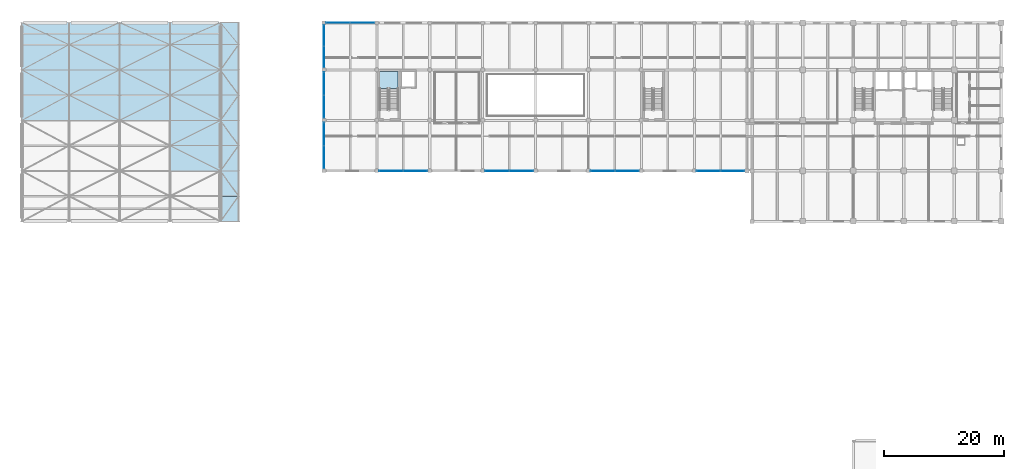
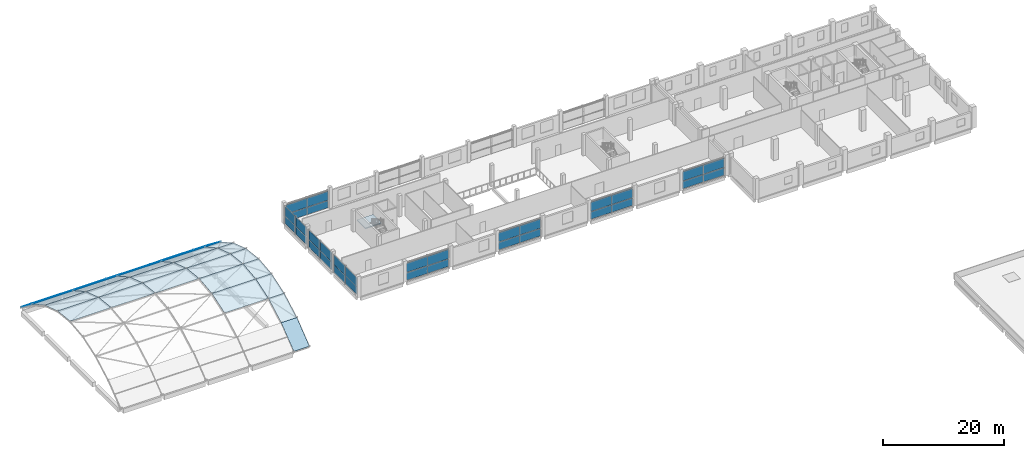
# One storey, part 22 of 38: 58 plates, 1 slab, 10 elements without a shape of their own.
"""IFC4 building model written with IfcOpenShell, lengths in metres."""

from ifc_helpers import new_model, si_unit, direction, frame, origin, origin_2d, place, context, subcontext, project, spatial, polyline, rectangle, outline, extrude, material, layer, layer_set, type_object, element, aggregate, save


model = new_model("IFC4")

# Units and contexts
model_context = context("Model", 3, precision=1e-05, world=origin(), true_north=direction((0.0, 1.0)))
body_context = subcontext(model_context, "Body", "Model", "MODEL_VIEW")
ifc_project = project(units=[si_unit("LENGTHUNIT", "METRE"), si_unit("AREAUNIT", "SQUARE_METRE"), si_unit("VOLUMEUNIT", "CUBIC_METRE"), si_unit("PLANEANGLEUNIT", "RADIAN"), si_unit("MASSUNIT", "GRAM", prefix="KILO")], contexts=[model_context])

# Site, building, storey
site_placement = place(None, origin())
site = spatial("IfcSite", under=ifc_project, at=site_placement, CompositionType="ELEMENT")
building_placement = place(site_placement, origin())
building = spatial("IfcBuilding", under=site, at=building_placement, Name="Brinegate Botanical Conservatory", CompositionType="ELEMENT")
storey_placement = place(building_placement, frame((0.0, 0.0, 10.199951171875)))
storey = spatial("IfcBuildingStorey", under=building, at=storey_placement, Name="L03", CompositionType="ELEMENT", Elevation=10.199951171875)

# Roof, plates
ifc_material_1 = material(Name="Structural steel Q355B / S355", Category="steel")
roof_type = type_object("IfcRoofType", Name="Roof_BARREL", PredefinedType="BARREL_ROOF", material=ifc_material_1)
roof_placement = place(storey_placement, origin())
roof = element("IfcRoof", 1, at=roof_placement, inside=storey, type_object=roof_type, Name="Conservatory tubular steel barrel-vault gridshell roof", PredefinedType="BARREL_ROOF")
ifc_material_2 = material(Name="Anodised aluminium insulated storm-eave soffit panel", Category="aluminium")
ifc_layer_1 = layer(ifc_material_2, 0.02587890625, Name="Anodised aluminium insulated storm-eave soffit panel", Category="aluminium")
ifc_layer_set_1 = layer_set([ifc_layer_1], Name="Anodised aluminium insulated storm-eave soffit panel")
plate_type_1 = type_object("IfcPlateType", Name="Plate_EAVE26", PredefinedType="SHEET", material=ifc_layer_set_1)
plate_1_placement = place(storey_placement, frame((33.60009765625, 78.39990234375, 0.0), z_axis=(0.0, -0.615626264049, 0.788038262404), x_axis=(1.0, 0.0, 0.0)))
plate_1 = element("IfcPlate", 2, at=plate_1_placement, type_object=plate_type_1, Name="Conservatory storm-eave panel 5.1", PredefinedType="SHEET", context=body_context, shape_type="SweptSolid", body=[
    extrude(outline(polyline([(0.0, 0.0), (3.0, 0.0), (3.0, 5.3299382947316545), (0.0, 5.3299382947316545), (0.0, 0.0)])), origin(), (0.0, 0.0, 1.0), 0.02587890625),
])
plate_2_placement = place(storey_placement, frame((33.60009765625, 82.60009765625, 3.28125), z_axis=(0.0, -0.487301351866, 0.873233870432), x_axis=(1.0, 0.0, 0.0)))
plate_2 = element("IfcPlate", 3, at=plate_2_placement, type_object=plate_type_1, Name="Conservatory storm-eave panel 5.2", PredefinedType="SHEET", context=body_context, shape_type="SweptSolid", body=[
    extrude(outline(polyline([(0.0, 0.0), (3.0, 0.0), (3.0, 4.80965216087756), (0.0, 4.80965216087756), (0.0, 0.0)])), origin(), (0.0, 0.0, 1.0), 0.02587890625),
])
plate_3_placement = place(storey_placement, frame((33.60009765625, 86.800048828125, 5.625), z_axis=(0.0, -0.317500791646, 0.948258006718), x_axis=(1.0, 0.0, 0.0)))
plate_3 = element("IfcPlate", 4, at=plate_3_placement, type_object=plate_type_1, Name="Conservatory storm-eave panel 5.3", PredefinedType="SHEET", context=body_context, shape_type="SweptSolid", body=[
    extrude(outline(polyline([(0.0, 0.0), (3.0, 0.0), (3.0, 4.429122814805905), (0.0, 4.429122814805905), (0.0, 0.0)])), origin(), (0.0, 0.0, 1.0), 0.02587890625),
])
plate_4_placement = place(storey_placement, frame((33.60009765625, 91.0, 7.03125), z_axis=(0.0, -0.110919745625, 0.993829366657), x_axis=(1.0, 0.0, 0.0)))
plate_4 = element("IfcPlate", 5, at=plate_4_placement, type_object=plate_type_1, Name="Conservatory storm-eave panel 5.4", PredefinedType="SHEET", context=body_context, shape_type="SweptSolid", body=[
    extrude(outline(polyline([(0.0, 0.0), (3.0, 0.0), (3.0, 4.22602844389791), (0.0, 4.22602844389791), (0.0, 0.0)])), origin(), (0.0, 0.0, 1.0), 0.02587890625),
])
plate_5_placement = place(storey_placement, frame((33.60009765625, 95.199951171875, 7.5), z_axis=(0.0, 0.110919745625, 0.993829366657), x_axis=(1.0, 0.0, 0.0)))
plate_5 = element("IfcPlate", 6, at=plate_5_placement, type_object=plate_type_1, Name="Conservatory storm-eave panel 5.5", PredefinedType="SHEET", context=body_context, shape_type="SweptSolid", body=[
    extrude(outline(polyline([(0.0, 0.0), (3.0, 0.0), (3.0, 4.22602844389791), (0.0, 4.22602844389791), (0.0, 0.0)])), origin(), (0.0, 0.0, 1.0), 0.02587890625),
])
plate_6_placement = place(storey_placement, frame((33.60009765625, 99.39990234375, 7.03125), z_axis=(0.0, 0.317484196838, 0.948263562918), x_axis=(1.0, 0.0, 0.0)))
plate_6 = element("IfcPlate", 7, at=plate_6_placement, type_object=plate_type_1, Name="Conservatory storm-eave panel 5.6", PredefinedType="SHEET", context=body_context, shape_type="SweptSolid", body=[
    extrude(outline(polyline([(0.0, 0.0), (3.0, 0.0), (3.0, 4.429354323786591), (0.0, 4.429354323786591), (0.0, 0.0)])), origin(), (0.0, 0.0, 1.0), 0.02587890625),
])
plate_7_placement = place(storey_placement, frame((33.60009765625, 103.60009765625, 5.625), z_axis=(0.0, 0.487301351866, 0.873233870432), x_axis=(1.0, 0.0, 0.0)))
plate_7 = element("IfcPlate", 8, at=plate_7_placement, type_object=plate_type_1, Name="Conservatory storm-eave panel 5.7", PredefinedType="SHEET", context=body_context, shape_type="SweptSolid", body=[
    extrude(outline(polyline([(0.0, 0.0), (3.0, 0.0), (3.0, 4.80965216087756), (0.0, 4.80965216087756), (0.0, 0.0)])), origin(), (0.0, 0.0, 1.0), 0.02587890625),
])
plate_8_placement = place(storey_placement, frame((33.60009765625, 107.800048828125, 3.28125), z_axis=(0.0, 0.608409254328, 0.793623449281), x_axis=(1.0, 0.0, 0.0)))
plate_8 = element("IfcPlate", 9, at=plate_8_placement, type_object=plate_type_1, Name="Conservatory storm-eave panel 5.8", PredefinedType="SHEET", context=body_context, shape_type="SweptSolid", body=[
    extrude(outline(polyline([(0.0, 0.0), (3.0, 0.0), (3.0, 4.599035407860907), (0.0, 4.599035407860907), (0.0, 0.0)])), origin(), (0.0, 0.0, 1.0), 0.02587890625),
])
ifc_material_3 = material(Name="Laminated Low-E safety glass 24 mm", Category="glass")
ifc_layer_2 = layer(ifc_material_3, 0.02392578125, Name="Laminated Low-E safety glass 24 mm", Category="glass")
ifc_layer_set_2 = layer_set([ifc_layer_2], Name="Laminated Low-E safety glass 24 mm")
plate_type_2 = type_object("IfcPlateType", Name="Plate_GLZ24", PredefinedType="SHEET", material=ifc_layer_set_2)
plate_9_placement = place(storey_placement, frame((0.550048828125, 95.199951171875, 7.5), z_axis=(0.0, 0.110919745625, 0.993829366657), x_axis=(1.0, 0.0, 0.0)))
plate_9 = element("IfcPlate", 10, at=plate_9_placement, type_object=plate_type_2, Name="Conservatory roof glazing panel 1.5", PredefinedType="SHEET", context=body_context, shape_type="SweptSolid", body=[
    extrude(outline(polyline([(0.0, 0.0), (7.849853515625, 0.0), (7.849853515625, 4.22602844389791), (0.0, 4.22602844389791), (0.0, 0.0)])), origin(), (0.0, 0.0, 1.0), 0.02392578125),
])
plate_10_placement = place(storey_placement, frame((0.550048828125, 99.39990234375, 7.03125), z_axis=(0.0, 0.317484196838, 0.948263562918), x_axis=(1.0, 0.0, 0.0)))
plate_10 = element("IfcPlate", 11, at=plate_10_placement, type_object=plate_type_2, Name="Conservatory roof glazing panel 1.6", PredefinedType="SHEET", context=body_context, shape_type="SweptSolid", body=[
    extrude(outline(polyline([(0.0, 0.0), (7.849853515625, 0.0), (7.849853515625, 4.429354323786591), (0.0, 4.429354323786591), (0.0, 0.0)])), origin(), (0.0, 0.0, 1.0), 0.02392578125),
])
plate_11_placement = place(storey_placement, frame((0.550048828125, 103.60009765625, 5.625), z_axis=(0.0, 0.487301351866, 0.873233870432), x_axis=(1.0, 0.0, 0.0)))
plate_11 = element("IfcPlate", 12, at=plate_11_placement, type_object=plate_type_2, Name="Conservatory roof glazing panel 1.7", PredefinedType="SHEET", context=body_context, shape_type="SweptSolid", body=[
    extrude(outline(polyline([(0.0, 0.0), (7.849853515625, 0.0), (7.849853515625, 4.809652160877561), (0.0, 4.809652160877561), (0.0, 0.0)])), origin(), (0.0, 0.0, 1.0), 0.02392578125),
])
plate_12_placement = place(storey_placement, frame((0.550048828125, 107.800048828125, 3.28125), z_axis=(0.0, 0.608409254328, 0.793623449281), x_axis=(1.0, 0.0, 0.0)))
plate_12 = element("IfcPlate", 13, at=plate_12_placement, type_object=plate_type_2, Name="Conservatory roof glazing panel 1.8", PredefinedType="SHEET", context=body_context, shape_type="SweptSolid", body=[
    extrude(outline(polyline([(0.0, 0.0), (7.849853515625, 0.0), (7.849853515625, 4.599035407860907), (0.0, 4.599035407860907), (0.0, 0.0)])), origin(), (0.0, 0.0, 1.0), 0.02392578125),
])
plate_13_placement = place(storey_placement, frame((8.39990234375, 95.199951171875, 7.5), z_axis=(0.0, 0.110919745625, 0.993829366657), x_axis=(1.0, 0.0, 0.0)))
plate_13 = element("IfcPlate", 14, at=plate_13_placement, type_object=plate_type_2, Name="Conservatory roof glazing panel 2.5", PredefinedType="SHEET", context=body_context, shape_type="SweptSolid", body=[
    extrude(outline(polyline([(0.0, 0.0), (8.400146484375, 0.0), (8.400146484375, 4.22602844389791), (0.0, 4.22602844389791), (0.0, 0.0)])), origin(), (0.0, 0.0, 1.0), 0.02392578125),
])
plate_14_placement = place(storey_placement, frame((8.39990234375, 99.39990234375, 7.03125), z_axis=(0.0, 0.317484196838, 0.948263562918), x_axis=(1.0, 0.0, 0.0)))
plate_14 = element("IfcPlate", 15, at=plate_14_placement, type_object=plate_type_2, Name="Conservatory roof glazing panel 2.6", PredefinedType="SHEET", context=body_context, shape_type="SweptSolid", body=[
    extrude(outline(polyline([(0.0, 0.0), (8.400146484375, 0.0), (8.400146484375, 4.429354323786591), (0.0, 4.429354323786591), (0.0, 0.0)])), origin(), (0.0, 0.0, 1.0), 0.02392578125),
])
plate_15_placement = place(storey_placement, frame((8.39990234375, 103.60009765625, 5.625), z_axis=(0.0, 0.487301351866, 0.873233870432), x_axis=(1.0, 0.0, 0.0)))
plate_15 = element("IfcPlate", 16, at=plate_15_placement, type_object=plate_type_2, Name="Conservatory roof glazing panel 2.7", PredefinedType="SHEET", context=body_context, shape_type="SweptSolid", body=[
    extrude(outline(polyline([(0.0, 0.0), (8.400146484375, 0.0), (8.400146484375, 4.80965216087756), (0.0, 4.80965216087756), (0.0, 0.0)])), origin(), (0.0, 0.0, 1.0), 0.02392578125),
])
plate_16_placement = place(storey_placement, frame((8.39990234375, 107.800048828125, 3.28125), z_axis=(0.0, 0.608409254328, 0.793623449281), x_axis=(1.0, 0.0, 0.0)))
plate_16 = element("IfcPlate", 17, at=plate_16_placement, type_object=plate_type_2, Name="Conservatory roof glazing panel 2.8", PredefinedType="SHEET", context=body_context, shape_type="SweptSolid", body=[
    extrude(outline(polyline([(0.0, 0.0), (8.400146484375, 0.0), (8.400146484375, 4.599035407860907), (0.0, 4.599035407860907), (0.0, 0.0)])), origin(), (0.0, 0.0, 1.0), 0.02392578125),
])
plate_17_placement = place(storey_placement, frame((16.800048828125, 95.199951171875, 7.5), z_axis=(0.0, 0.110919745625, 0.993829366657), x_axis=(1.0, 0.0, 0.0)))
plate_17 = element("IfcPlate", 18, at=plate_17_placement, type_object=plate_type_2, Name="Conservatory roof glazing panel 3.5", PredefinedType="SHEET", context=body_context, shape_type="SweptSolid", body=[
    extrude(outline(polyline([(0.0, 0.0), (8.39990234375, 0.0), (8.39990234375, 4.22602844389791), (0.0, 4.22602844389791), (0.0, 0.0)])), origin(), (0.0, 0.0, 1.0), 0.02392578125),
])
plate_18_placement = place(storey_placement, frame((16.800048828125, 99.39990234375, 7.03125), z_axis=(0.0, 0.317484196838, 0.948263562918), x_axis=(1.0, 0.0, 0.0)))
plate_18 = element("IfcPlate", 19, at=plate_18_placement, type_object=plate_type_2, Name="Conservatory roof glazing panel 3.6", PredefinedType="SHEET", context=body_context, shape_type="SweptSolid", body=[
    extrude(outline(polyline([(0.0, 0.0), (8.39990234375, 0.0), (8.39990234375, 4.429354323786591), (0.0, 4.429354323786591), (0.0, 0.0)])), origin(), (0.0, 0.0, 1.0), 0.02392578125),
])
plate_19_placement = place(storey_placement, frame((16.800048828125, 103.60009765625, 5.625), z_axis=(0.0, 0.487301351866, 0.873233870432), x_axis=(1.0, 0.0, 0.0)))
plate_19 = element("IfcPlate", 20, at=plate_19_placement, type_object=plate_type_2, Name="Conservatory roof glazing panel 3.7", PredefinedType="SHEET", context=body_context, shape_type="SweptSolid", body=[
    extrude(outline(polyline([(0.0, 0.0), (8.39990234375, 0.0), (8.39990234375, 4.809652160877561), (0.0, 4.809652160877561), (0.0, 0.0)])), origin(), (0.0, 0.0, 1.0), 0.02392578125),
])
plate_20_placement = place(storey_placement, frame((16.800048828125, 107.800048828125, 3.28125), z_axis=(0.0, 0.608409254328, 0.793623449281), x_axis=(1.0, 0.0, 0.0)))
plate_20 = element("IfcPlate", 21, at=plate_20_placement, type_object=plate_type_2, Name="Conservatory roof glazing panel 3.8", PredefinedType="SHEET", context=body_context, shape_type="SweptSolid", body=[
    extrude(outline(polyline([(0.0, 0.0), (8.39990234375, 0.0), (8.39990234375, 4.599035407860907), (0.0, 4.599035407860907), (0.0, 0.0)])), origin(), (0.0, 0.0, 1.0), 0.02392578125),
])
plate_21_placement = place(storey_placement, frame((25.199951171875, 86.800048828125, 5.625), z_axis=(0.0, -0.317500791646, 0.948258006718), x_axis=(1.0, 0.0, 0.0)))
plate_21 = element("IfcPlate", 22, at=plate_21_placement, type_object=plate_type_2, Name="Conservatory roof glazing panel 4.3", PredefinedType="SHEET", context=body_context, shape_type="SweptSolid", body=[
    extrude(outline(polyline([(0.0, 0.0), (8.400146484375, 0.0), (8.400146484375, 4.429122814805905), (0.0, 4.429122814805905), (0.0, 0.0)])), origin(), (0.0, 0.0, 1.0), 0.02392578125),
])
plate_22_placement = place(storey_placement, frame((25.199951171875, 91.0, 7.03125), z_axis=(0.0, -0.110919745625, 0.993829366657), x_axis=(1.0, 0.0, 0.0)))
plate_22 = element("IfcPlate", 23, at=plate_22_placement, type_object=plate_type_2, Name="Conservatory roof glazing panel 4.4", PredefinedType="SHEET", context=body_context, shape_type="SweptSolid", body=[
    extrude(outline(polyline([(0.0, 0.0), (8.400146484375, 0.0), (8.400146484375, 4.22602844389791), (0.0, 4.22602844389791), (0.0, 0.0)])), origin(), (0.0, 0.0, 1.0), 0.02392578125),
])
plate_23_placement = place(storey_placement, frame((25.199951171875, 95.199951171875, 7.5), z_axis=(0.0, 0.110919745625, 0.993829366657), x_axis=(1.0, 0.0, 0.0)))
plate_23 = element("IfcPlate", 24, at=plate_23_placement, type_object=plate_type_2, Name="Conservatory roof glazing panel 4.5", PredefinedType="SHEET", context=body_context, shape_type="SweptSolid", body=[
    extrude(outline(polyline([(0.0, 0.0), (8.400146484375, 0.0), (8.400146484375, 4.22602844389791), (0.0, 4.22602844389791), (0.0, 0.0)])), origin(), (0.0, 0.0, 1.0), 0.02392578125),
])
plate_24_placement = place(storey_placement, frame((25.199951171875, 99.39990234375, 7.03125), z_axis=(0.0, 0.317484196838, 0.948263562918), x_axis=(1.0, 0.0, 0.0)))
plate_24 = element("IfcPlate", 25, at=plate_24_placement, type_object=plate_type_2, Name="Conservatory roof glazing panel 4.6", PredefinedType="SHEET", context=body_context, shape_type="SweptSolid", body=[
    extrude(outline(polyline([(0.0, 0.0), (8.400146484375, 0.0), (8.400146484375, 4.429354323786591), (0.0, 4.429354323786591), (0.0, 0.0)])), origin(), (0.0, 0.0, 1.0), 0.02392578125),
])
plate_25_placement = place(storey_placement, frame((25.199951171875, 103.60009765625, 5.625), z_axis=(0.0, 0.487301351866, 0.873233870432), x_axis=(1.0, 0.0, 0.0)))
plate_25 = element("IfcPlate", 26, at=plate_25_placement, type_object=plate_type_2, Name="Conservatory roof glazing panel 4.7", PredefinedType="SHEET", context=body_context, shape_type="SweptSolid", body=[
    extrude(outline(polyline([(0.0, 0.0), (8.400146484375, 0.0), (8.400146484375, 4.80965216087756), (0.0, 4.80965216087756), (0.0, 0.0)])), origin(), (0.0, 0.0, 1.0), 0.02392578125),
])
plate_26_placement = place(storey_placement, frame((25.199951171875, 107.800048828125, 3.28125), z_axis=(0.0, 0.608409254328, 0.793623449281), x_axis=(1.0, 0.0, 0.0)))
plate_26 = element("IfcPlate", 27, at=plate_26_placement, type_object=plate_type_2, Name="Conservatory roof glazing panel 4.8", PredefinedType="SHEET", context=body_context, shape_type="SweptSolid", body=[
    extrude(outline(polyline([(0.0, 0.0), (8.400146484375, 0.0), (8.400146484375, 4.599035407860907), (0.0, 4.599035407860907), (0.0, 0.0)])), origin(), (0.0, 0.0, 1.0), 0.02392578125),
])
aggregate(roof, [plate_9, plate_10, plate_11, plate_12, plate_13, plate_14, plate_15, plate_16, plate_17, plate_18, plate_19, plate_20, plate_21, plate_22, plate_23, plate_24, plate_25, plate_26, plate_1, plate_2, plate_3, plate_4, plate_5, plate_6, plate_7, plate_8])

# Curtain wall, plates
ifc_material_4 = material(Name="Thermally broken anodised aluminium AW-6063-T6", Category="aluminium")
curtain_wall_type = type_object("IfcCurtainWallType", Name="CW_CW-V3", PredefinedType="USERDEFINED", material=ifc_material_4)
curtain_wall_1_placement = place(storey_placement, origin())
curtain_wall_1 = element("IfcCurtainWall", 28, at=curtain_wall_1_placement, inside=storey, type_object=curtain_wall_type, Name="Visitor north factory curtain wall L03.1", ObjectType="FACTORY CURTAIN WALL", PredefinedType="USERDEFINED")
ifc_material_5 = material(Name="Double-silver Low-E laminated safety glass", Category="glass")
ifc_layer_3 = layer(ifc_material_5, 0.028076171875, Name="Double-silver Low-E laminated safety glass", Category="glass")
ifc_layer_set_3 = layer_set([ifc_layer_3], Name="Double-silver Low-E laminated safety glass")
plate_type_3 = type_object("IfcPlateType", Name="Plate_PN-28", PredefinedType="CURTAIN_PANEL", material=ifc_layer_set_3)
plate_27_placement = place(storey_placement, frame((53.186279296875, 111.449951171875, 0.065185546875), z_axis=(0.0, 0.0, 1.0), x_axis=(1.0, 0.0, 0.0)))
plate_27 = element("IfcPlate", 29, at=plate_27_placement, type_object=plate_type_3, Name="CW-V3 panel 1.1", PredefinedType="CURTAIN_PANEL", context=body_context, shape_type="SweptSolid", body=[
    extrude(rectangle(XDim=3.96240234375, YDim=0.028076171875, at=origin_2d()), origin(), (0.0, 0.0, 1.0), 1.482421875),
])
plate_28_placement = place(storey_placement, frame((53.186279296875, 111.449951171875, 1.612548828125), z_axis=(0.0, 0.0, 1.0), x_axis=(1.0, 0.0, 0.0)))
plate_28 = element("IfcPlate", 30, at=plate_28_placement, type_object=plate_type_3, Name="CW-V3 panel 1.2", PredefinedType="CURTAIN_PANEL", context=body_context, shape_type="SweptSolid", body=[
    extrude(rectangle(XDim=3.96240234375, YDim=0.028076171875, at=origin_2d()), origin(), (0.0, 0.0, 1.0), 1.83251953125),
])
plate_29_placement = place(storey_placement, frame((57.2138671875, 111.449951171875, 0.065185546875), z_axis=(0.0, 0.0, 1.0), x_axis=(1.0, 0.0, 0.0)))
plate_29 = element("IfcPlate", 31, at=plate_29_placement, type_object=plate_type_3, Name="CW-V3 panel 2.1", PredefinedType="CURTAIN_PANEL", context=body_context, shape_type="SweptSolid", body=[
    extrude(rectangle(XDim=3.96240234375, YDim=0.028076171875, at=origin_2d()), origin(), (0.0, 0.0, 1.0), 1.482421875),
])
plate_30_placement = place(storey_placement, frame((57.2138671875, 111.449951171875, 1.612548828125), z_axis=(0.0, 0.0, 1.0), x_axis=(1.0, 0.0, 0.0)))
plate_30 = element("IfcPlate", 32, at=plate_30_placement, type_object=plate_type_3, Name="CW-V3 panel 2.2", PredefinedType="CURTAIN_PANEL", context=body_context, shape_type="SweptSolid", body=[
    extrude(rectangle(XDim=3.96240234375, YDim=0.028076171875, at=origin_2d()), origin(), (0.0, 0.0, 1.0), 1.83251953125),
])
aggregate(curtain_wall_1, [plate_27, plate_28, plate_29, plate_30])

curtain_wall_2_placement = place(storey_placement, origin())
curtain_wall_2 = element("IfcCurtainWall", 33, at=curtain_wall_2_placement, inside=storey, type_object=curtain_wall_type, Name="Visitor south court curtain wall L03.2", ObjectType="FACTORY CURTAIN WALL", PredefinedType="USERDEFINED")
plate_31_placement = place(storey_placement, frame((66.013671875, 86.800048828125, 0.06494140625), z_axis=(0.0, 0.0, 1.0), x_axis=(-1.0, 0.0, 0.0)))
plate_31 = element("IfcPlate", 34, at=plate_31_placement, type_object=plate_type_3, Name="CW-V3 panel 1.1", PredefinedType="CURTAIN_PANEL", context=body_context, shape_type="SweptSolid", body=[
    extrude(rectangle(XDim=3.96240234375, YDim=0.028076171875, at=origin_2d()), origin(), (0.0, 0.0, 1.0), 1.527587890625),
])
plate_32_placement = place(storey_placement, frame((66.013671875, 86.800048828125, 1.65771484375), z_axis=(0.0, 0.0, 1.0), x_axis=(-1.0, 0.0, 0.0)))
plate_32 = element("IfcPlate", 35, at=plate_32_placement, type_object=plate_type_3, Name="CW-V3 panel 1.2", PredefinedType="CURTAIN_PANEL", context=body_context, shape_type="SweptSolid", body=[
    extrude(rectangle(XDim=3.96240234375, YDim=0.028076171875, at=origin_2d()), origin(), (0.0, 0.0, 1.0), 1.887451171875),
])
plate_33_placement = place(storey_placement, frame((61.986328125, 86.800048828125, 0.06494140625), z_axis=(0.0, 0.0, 1.0), x_axis=(-1.0, 0.0, 0.0)))
plate_33 = element("IfcPlate", 36, at=plate_33_placement, type_object=plate_type_3, Name="CW-V3 panel 2.1", PredefinedType="CURTAIN_PANEL", context=body_context, shape_type="SweptSolid", body=[
    extrude(rectangle(XDim=3.96240234375, YDim=0.028076171875, at=origin_2d()), origin(), (0.0, 0.0, 1.0), 1.527587890625),
])
plate_34_placement = place(storey_placement, frame((61.986328125, 86.800048828125, 1.65771484375), z_axis=(0.0, 0.0, 1.0), x_axis=(-1.0, 0.0, 0.0)))
plate_34 = element("IfcPlate", 37, at=plate_34_placement, type_object=plate_type_3, Name="CW-V3 panel 2.2", PredefinedType="CURTAIN_PANEL", context=body_context, shape_type="SweptSolid", body=[
    extrude(rectangle(XDim=3.96240234375, YDim=0.028076171875, at=origin_2d()), origin(), (0.0, 0.0, 1.0), 1.887451171875),
])
aggregate(curtain_wall_2, [plate_31, plate_32, plate_33, plate_34])

curtain_wall_3_placement = place(storey_placement, origin())
curtain_wall_3 = element("IfcCurtainWall", 38, at=curtain_wall_3_placement, inside=storey, type_object=curtain_wall_type, Name="Visitor south court curtain wall L03.4", ObjectType="FACTORY CURTAIN WALL", PredefinedType="USERDEFINED")
plate_35_placement = place(storey_placement, frame((83.61376953125, 86.800048828125, 0.06494140625), z_axis=(0.0, 0.0, 1.0), x_axis=(-1.0, 0.0, 0.0)))
plate_35 = element("IfcPlate", 39, at=plate_35_placement, type_object=plate_type_3, Name="CW-V3 panel 1.1", PredefinedType="CURTAIN_PANEL", context=body_context, shape_type="SweptSolid", body=[
    extrude(rectangle(XDim=3.96240234375, YDim=0.028076171875, at=origin_2d()), origin(), (0.0, 0.0, 1.0), 1.527587890625),
])
plate_36_placement = place(storey_placement, frame((83.61376953125, 86.800048828125, 1.65771484375), z_axis=(0.0, 0.0, 1.0), x_axis=(-1.0, 0.0, 0.0)))
plate_36 = element("IfcPlate", 40, at=plate_36_placement, type_object=plate_type_3, Name="CW-V3 panel 1.2", PredefinedType="CURTAIN_PANEL", context=body_context, shape_type="SweptSolid", body=[
    extrude(rectangle(XDim=3.96240234375, YDim=0.028076171875, at=origin_2d()), origin(), (0.0, 0.0, 1.0), 1.887451171875),
])
plate_37_placement = place(storey_placement, frame((79.586181640625, 86.800048828125, 0.06494140625), z_axis=(0.0, 0.0, 1.0), x_axis=(-1.0, 0.0, 0.0)))
plate_37 = element("IfcPlate", 41, at=plate_37_placement, type_object=plate_type_3, Name="CW-V3 panel 2.1", PredefinedType="CURTAIN_PANEL", context=body_context, shape_type="SweptSolid", body=[
    extrude(rectangle(XDim=3.96240234375, YDim=0.028076171875, at=origin_2d()), origin(), (0.0, 0.0, 1.0), 1.527587890625),
])
plate_38_placement = place(storey_placement, frame((79.586181640625, 86.800048828125, 1.65771484375), z_axis=(0.0, 0.0, 1.0), x_axis=(-1.0, 0.0, 0.0)))
plate_38 = element("IfcPlate", 42, at=plate_38_placement, type_object=plate_type_3, Name="CW-V3 panel 2.2", PredefinedType="CURTAIN_PANEL", context=body_context, shape_type="SweptSolid", body=[
    extrude(rectangle(XDim=3.96240234375, YDim=0.028076171875, at=origin_2d()), origin(), (0.0, 0.0, 1.0), 1.887451171875),
])
aggregate(curtain_wall_3, [plate_35, plate_36, plate_37, plate_38])

curtain_wall_4_placement = place(storey_placement, origin())
curtain_wall_4 = element("IfcCurtainWall", 43, at=curtain_wall_4_placement, inside=storey, type_object=curtain_wall_type, Name="Visitor south court curtain wall L03.6", ObjectType="FACTORY CURTAIN WALL", PredefinedType="USERDEFINED")
plate_39_placement = place(storey_placement, frame((101.2138671875, 86.800048828125, 0.06494140625), z_axis=(0.0, 0.0, 1.0), x_axis=(-1.0, 0.0, 0.0)))
plate_39 = element("IfcPlate", 44, at=plate_39_placement, type_object=plate_type_3, Name="CW-V3 panel 1.1", PredefinedType="CURTAIN_PANEL", context=body_context, shape_type="SweptSolid", body=[
    extrude(rectangle(XDim=3.96240234375, YDim=0.028076171875, at=origin_2d()), origin(), (0.0, 0.0, 1.0), 1.527587890625),
])
plate_40_placement = place(storey_placement, frame((101.2138671875, 86.800048828125, 1.65771484375), z_axis=(0.0, 0.0, 1.0), x_axis=(-1.0, 0.0, 0.0)))
plate_40 = element("IfcPlate", 45, at=plate_40_placement, type_object=plate_type_3, Name="CW-V3 panel 1.2", PredefinedType="CURTAIN_PANEL", context=body_context, shape_type="SweptSolid", body=[
    extrude(rectangle(XDim=3.96240234375, YDim=0.028076171875, at=origin_2d()), origin(), (0.0, 0.0, 1.0), 1.887451171875),
])
plate_41_placement = place(storey_placement, frame((97.186279296875, 86.800048828125, 0.06494140625), z_axis=(0.0, 0.0, 1.0), x_axis=(-1.0, 0.0, 0.0)))
plate_41 = element("IfcPlate", 46, at=plate_41_placement, type_object=plate_type_3, Name="CW-V3 panel 2.1", PredefinedType="CURTAIN_PANEL", context=body_context, shape_type="SweptSolid", body=[
    extrude(rectangle(XDim=3.96240234375, YDim=0.028076171875, at=origin_2d()), origin(), (0.0, 0.0, 1.0), 1.527587890625),
])
plate_42_placement = place(storey_placement, frame((97.186279296875, 86.800048828125, 1.65771484375), z_axis=(0.0, 0.0, 1.0), x_axis=(-1.0, 0.0, 0.0)))
plate_42 = element("IfcPlate", 47, at=plate_42_placement, type_object=plate_type_3, Name="CW-V3 panel 2.2", PredefinedType="CURTAIN_PANEL", context=body_context, shape_type="SweptSolid", body=[
    extrude(rectangle(XDim=3.96240234375, YDim=0.028076171875, at=origin_2d()), origin(), (0.0, 0.0, 1.0), 1.887451171875),
])
aggregate(curtain_wall_4, [plate_39, plate_40, plate_41, plate_42])

curtain_wall_5_placement = place(storey_placement, origin())
curtain_wall_5 = element("IfcCurtainWall", 48, at=curtain_wall_5_placement, inside=storey, type_object=curtain_wall_type, Name="Visitor south court curtain wall L03.8", ObjectType="FACTORY CURTAIN WALL", PredefinedType="USERDEFINED")
plate_43_placement = place(storey_placement, frame((118.73876953125, 86.800048828125, 0.06494140625), z_axis=(0.0, 0.0, 1.0), x_axis=(-1.0, 0.0, 0.0)))
plate_43 = element("IfcPlate", 49, at=plate_43_placement, type_object=plate_type_3, Name="CW-V3 panel 1.1", PredefinedType="CURTAIN_PANEL", context=body_context, shape_type="SweptSolid", body=[
    extrude(rectangle(XDim=3.91259765625, YDim=0.028076171875, at=origin_2d()), origin(), (0.0, 0.0, 1.0), 1.527587890625),
])
plate_44_placement = place(storey_placement, frame((118.73876953125, 86.800048828125, 1.65771484375), z_axis=(0.0, 0.0, 1.0), x_axis=(-1.0, 0.0, 0.0)))
plate_44 = element("IfcPlate", 50, at=plate_44_placement, type_object=plate_type_3, Name="CW-V3 panel 1.2", PredefinedType="CURTAIN_PANEL", context=body_context, shape_type="SweptSolid", body=[
    extrude(rectangle(XDim=3.91259765625, YDim=0.028076171875, at=origin_2d()), origin(), (0.0, 0.0, 1.0), 1.887451171875),
])
plate_45_placement = place(storey_placement, frame((114.76123046875, 86.800048828125, 0.06494140625), z_axis=(0.0, 0.0, 1.0), x_axis=(-1.0, 0.0, 0.0)))
plate_45 = element("IfcPlate", 51, at=plate_45_placement, type_object=plate_type_3, Name="CW-V3 panel 2.1", PredefinedType="CURTAIN_PANEL", context=body_context, shape_type="SweptSolid", body=[
    extrude(rectangle(XDim=3.91259765625, YDim=0.028076171875, at=origin_2d()), origin(), (0.0, 0.0, 1.0), 1.527587890625),
])
plate_46_placement = place(storey_placement, frame((114.76123046875, 86.800048828125, 1.65771484375), z_axis=(0.0, 0.0, 1.0), x_axis=(-1.0, 0.0, 0.0)))
plate_46 = element("IfcPlate", 52, at=plate_46_placement, type_object=plate_type_3, Name="CW-V3 panel 2.2", PredefinedType="CURTAIN_PANEL", context=body_context, shape_type="SweptSolid", body=[
    extrude(rectangle(XDim=3.91259765625, YDim=0.028076171875, at=origin_2d()), origin(), (0.0, 0.0, 1.0), 1.887451171875),
])
aggregate(curtain_wall_5, [plate_43, plate_44, plate_45, plate_46])

curtain_wall_6_placement = place(storey_placement, origin())
curtain_wall_6 = element("IfcCurtainWall", 53, at=curtain_wall_6_placement, inside=storey, type_object=curtain_wall_type, Name="Visitor west forecourt curtain wall L03.1", ObjectType="FACTORY CURTAIN WALL", PredefinedType="USERDEFINED")
plate_47_placement = place(storey_placement, frame((50.800048828125, 89.086181640625, 0.06494140625), z_axis=(0.0, 0.0, 1.0), x_axis=(0.0, 1.0, 0.0)))
plate_47 = element("IfcPlate", 54, at=plate_47_placement, type_object=plate_type_3, Name="CW-V3 panel 1.1", PredefinedType="CURTAIN_PANEL", context=body_context, shape_type="SweptSolid", body=[
    extrude(rectangle(XDim=3.762451171875, YDim=0.028076171875, at=origin_2d()), origin(), (0.0, 0.0, 1.0), 1.527587890625),
])
plate_48_placement = place(storey_placement, frame((50.800048828125, 89.086181640625, 1.65771484375), z_axis=(0.0, 0.0, 1.0), x_axis=(0.0, 1.0, 0.0)))
plate_48 = element("IfcPlate", 55, at=plate_48_placement, type_object=plate_type_3, Name="CW-V3 panel 1.2", PredefinedType="CURTAIN_PANEL", context=body_context, shape_type="SweptSolid", body=[
    extrude(rectangle(XDim=3.762451171875, YDim=0.028076171875, at=origin_2d()), origin(), (0.0, 0.0, 1.0), 1.887451171875),
])
plate_49_placement = place(storey_placement, frame((50.800048828125, 92.913818359375, 0.06494140625), z_axis=(0.0, 0.0, 1.0), x_axis=(0.0, 1.0, 0.0)))
plate_49 = element("IfcPlate", 56, at=plate_49_placement, type_object=plate_type_3, Name="CW-V3 panel 2.1", PredefinedType="CURTAIN_PANEL", context=body_context, shape_type="SweptSolid", body=[
    extrude(rectangle(XDim=3.762451171875, YDim=0.028076171875, at=origin_2d()), origin(), (0.0, 0.0, 1.0), 1.527587890625),
])
plate_50_placement = place(storey_placement, frame((50.800048828125, 92.913818359375, 1.65771484375), z_axis=(0.0, 0.0, 1.0), x_axis=(0.0, 1.0, 0.0)))
plate_50 = element("IfcPlate", 57, at=plate_50_placement, type_object=plate_type_3, Name="CW-V3 panel 2.2", PredefinedType="CURTAIN_PANEL", context=body_context, shape_type="SweptSolid", body=[
    extrude(rectangle(XDim=3.762451171875, YDim=0.028076171875, at=origin_2d()), origin(), (0.0, 0.0, 1.0), 1.887451171875),
])
aggregate(curtain_wall_6, [plate_47, plate_48, plate_49, plate_50])

curtain_wall_7_placement = place(storey_placement, origin())
curtain_wall_7 = element("IfcCurtainWall", 58, at=curtain_wall_7_placement, inside=storey, type_object=curtain_wall_type, Name="Visitor west forecourt curtain wall L03.2", ObjectType="FACTORY CURTAIN WALL", PredefinedType="USERDEFINED")
plate_51_placement = place(storey_placement, frame((50.800048828125, 97.486328125, 0.06494140625), z_axis=(0.0, 0.0, 1.0), x_axis=(0.0, 1.0, 0.0)))
plate_51 = element("IfcPlate", 59, at=plate_51_placement, type_object=plate_type_3, Name="CW-V3 panel 1.1", PredefinedType="CURTAIN_PANEL", context=body_context, shape_type="SweptSolid", body=[
    extrude(rectangle(XDim=3.762451171875, YDim=0.028076171875, at=origin_2d()), origin(), (0.0, 0.0, 1.0), 1.527587890625),
])
plate_52_placement = place(storey_placement, frame((50.800048828125, 97.486328125, 1.65771484375), z_axis=(0.0, 0.0, 1.0), x_axis=(0.0, 1.0, 0.0)))
plate_52 = element("IfcPlate", 60, at=plate_52_placement, type_object=plate_type_3, Name="CW-V3 panel 1.2", PredefinedType="CURTAIN_PANEL", context=body_context, shape_type="SweptSolid", body=[
    extrude(rectangle(XDim=3.762451171875, YDim=0.028076171875, at=origin_2d()), origin(), (0.0, 0.0, 1.0), 1.887451171875),
])
plate_53_placement = place(storey_placement, frame((50.800048828125, 101.313720703125, 0.06494140625), z_axis=(0.0, 0.0, 1.0), x_axis=(0.0, 1.0, 0.0)))
plate_53 = element("IfcPlate", 61, at=plate_53_placement, type_object=plate_type_3, Name="CW-V3 panel 2.1", PredefinedType="CURTAIN_PANEL", context=body_context, shape_type="SweptSolid", body=[
    extrude(rectangle(XDim=3.762451171875, YDim=0.028076171875, at=origin_2d()), origin(), (0.0, 0.0, 1.0), 1.527587890625),
])
plate_54_placement = place(storey_placement, frame((50.800048828125, 101.313720703125, 1.65771484375), z_axis=(0.0, 0.0, 1.0), x_axis=(0.0, 1.0, 0.0)))
plate_54 = element("IfcPlate", 62, at=plate_54_placement, type_object=plate_type_3, Name="CW-V3 panel 2.2", PredefinedType="CURTAIN_PANEL", context=body_context, shape_type="SweptSolid", body=[
    extrude(rectangle(XDim=3.762451171875, YDim=0.028076171875, at=origin_2d()), origin(), (0.0, 0.0, 1.0), 1.887451171875),
])
aggregate(curtain_wall_7, [plate_51, plate_52, plate_53, plate_54])

curtain_wall_8_placement = place(storey_placement, origin())
curtain_wall_8 = element("IfcCurtainWall", 63, at=curtain_wall_8_placement, inside=storey, type_object=curtain_wall_type, Name="Visitor west forecourt curtain wall L03.3", ObjectType="FACTORY CURTAIN WALL", PredefinedType="USERDEFINED")
plate_55_placement = place(storey_placement, frame((50.800048828125, 105.748779296875, 0.06494140625), z_axis=(0.0, 0.0, 1.0), x_axis=(0.0, 1.0, 0.0)))
plate_55 = element("IfcPlate", 64, at=plate_55_placement, type_object=plate_type_3, Name="CW-V3 panel 1.1", PredefinedType="CURTAIN_PANEL", context=body_context, shape_type="SweptSolid", body=[
    extrude(rectangle(XDim=3.487548828125, YDim=0.028076171875, at=origin_2d()), origin(), (0.0, 0.0, 1.0), 1.527587890625),
])
plate_56_placement = place(storey_placement, frame((50.800048828125, 105.748779296875, 1.65771484375), z_axis=(0.0, 0.0, 1.0), x_axis=(0.0, 1.0, 0.0)))
plate_56 = element("IfcPlate", 65, at=plate_56_placement, type_object=plate_type_3, Name="CW-V3 panel 1.2", PredefinedType="CURTAIN_PANEL", context=body_context, shape_type="SweptSolid", body=[
    extrude(rectangle(XDim=3.487548828125, YDim=0.028076171875, at=origin_2d()), origin(), (0.0, 0.0, 1.0), 1.887451171875),
])
plate_57_placement = place(storey_placement, frame((50.800048828125, 109.30126953125, 0.06494140625), z_axis=(0.0, 0.0, 1.0), x_axis=(0.0, 1.0, 0.0)))
plate_57 = element("IfcPlate", 66, at=plate_57_placement, type_object=plate_type_3, Name="CW-V3 panel 2.1", PredefinedType="CURTAIN_PANEL", context=body_context, shape_type="SweptSolid", body=[
    extrude(rectangle(XDim=3.487548828125, YDim=0.028076171875, at=origin_2d()), origin(), (0.0, 0.0, 1.0), 1.527587890625),
])
plate_58_placement = place(storey_placement, frame((50.800048828125, 109.30126953125, 1.65771484375), z_axis=(0.0, 0.0, 1.0), x_axis=(0.0, 1.0, 0.0)))
plate_58 = element("IfcPlate", 67, at=plate_58_placement, type_object=plate_type_3, Name="CW-V3 panel 2.2", PredefinedType="CURTAIN_PANEL", context=body_context, shape_type="SweptSolid", body=[
    extrude(rectangle(XDim=3.487548828125, YDim=0.028076171875, at=origin_2d()), origin(), (0.0, 0.0, 1.0), 1.887451171875),
])
aggregate(curtain_wall_8, [plate_55, plate_56, plate_57, plate_58])

# Stair, slab
ifc_material_6 = material(Name="Concrete C40/50", Category="concrete")
stair_type = type_object("IfcStairType", Name="Stair_HT-4500", PredefinedType="HALF_TURN_STAIR", material=ifc_material_6)
stair_placement = place(storey_placement, origin())
stair = element("IfcStair", 68, at=stair_placement, inside=storey, type_object=stair_type, Name="L03 Visitor Wing West Smoke-Proof Stair ST3", PredefinedType="HALF_TURN_STAIR")
ifc_layer_4 = layer(ifc_material_6, 0.199951171875, Name="Concrete C40/50", Category="concrete")
ifc_layer_set_4 = layer_set([ifc_layer_4], Name="Concrete C40/50")
slab_type = type_object("IfcSlabType", Name="Slab_SL-LD200", PredefinedType="LANDING", material=ifc_layer_set_4)
slab_placement = place(storey_placement, frame((0.0, 0.0, 2.050048828125)))
slab = element("IfcSlab", 69, at=slab_placement, type_object=slab_type, Name="ST3 landing 1", PredefinedType="LANDING", context=body_context, shape_type="SweptSolid", body=[
    extrude(outline(polyline([(63.14990234375, 100.5400390625), (63.14990234375, 103.35009765625), (60.050048828125, 103.35009765625), (60.050048828125, 100.5400390625), (63.14990234375, 100.5400390625)])), origin(), (0.0, 0.0, 1.0), 0.199951171875),
])
aggregate(stair, [slab])

save(model, "model.ifc")
